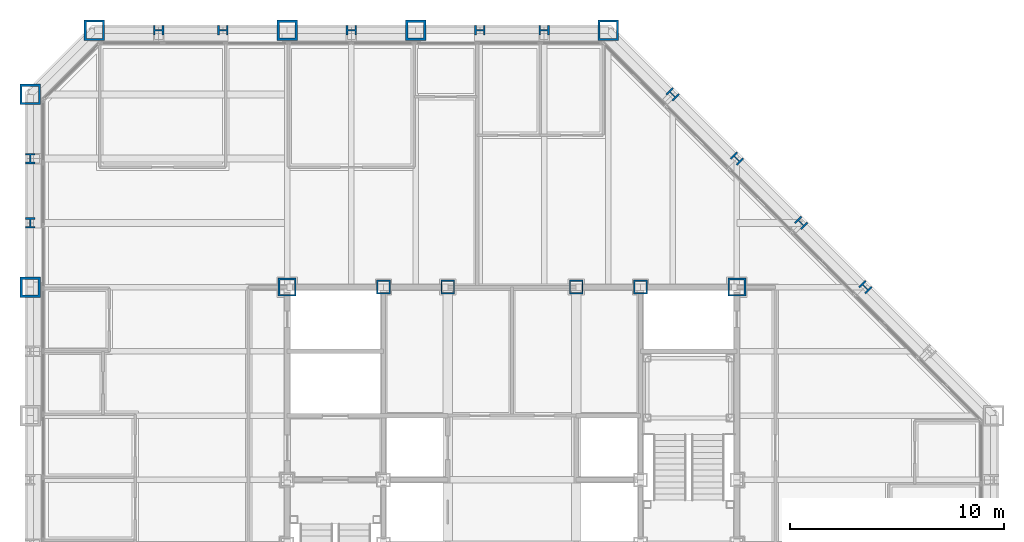
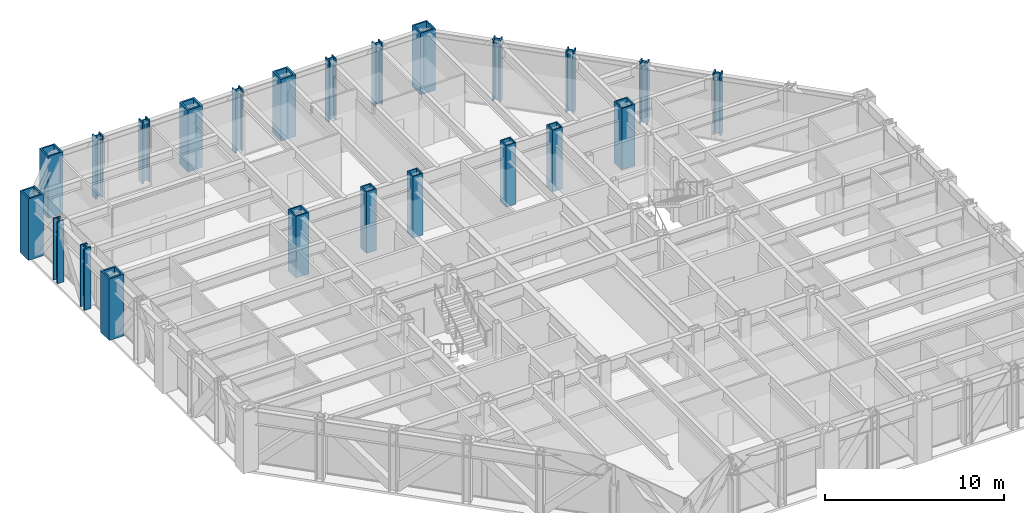
# One storey, part 3 of 16: 23 columns.
"""IFC4 building model written with IfcOpenShell, lengths in metres."""

from ifc_helpers import new_model, si_unit, direction, frame, origin, origin_2d, place, context, subcontext, project, spatial, hollow_rectangle, i_section, extrude, material, material_profile, profile_set, type_object, element, save


model = new_model("IFC4")

# Units and contexts
model_context = context("Model", 3, precision=1e-05, world=origin(), true_north=direction((0.0, 1.0)))
body_context = subcontext(model_context, "Body", "Model", "MODEL_VIEW")
ifc_project = project(units=[si_unit("LENGTHUNIT", "METRE"), si_unit("AREAUNIT", "SQUARE_METRE"), si_unit("VOLUMEUNIT", "CUBIC_METRE"), si_unit("PLANEANGLEUNIT", "RADIAN"), si_unit("MASSUNIT", "GRAM", prefix="KILO")], contexts=[model_context])

# Site, building, storey
site_placement = place(None, origin())
site = spatial("IfcSite", under=ifc_project, at=site_placement, CompositionType="ELEMENT")
building_placement = place(site_placement, origin())
building = spatial("IfcBuilding", under=site, at=building_placement, Name="Chuquiago Exchange Tower", CompositionType="ELEMENT")
storey_placement = place(building_placement, frame((0.0, 0.0, 157.199951171875)))
storey = spatial("IfcBuildingStorey", under=building, at=storey_placement, Name="L34", CompositionType="ELEMENT", Elevation=157.199951171875)

# Columns
ifc_material_1 = material(Name="Steel ASTM A992", Category="steel")
ifc_material_profile_1 = material_profile(ifc_material_1, i_section(OverallWidth=0.431884765625, OverallDepth=0.497802734375, WebThickness=0.0556640625, FlangeThickness=0.0888671875, at=origin_2d()), Name="W14X500")
ifc_profile_set_1 = profile_set([ifc_material_profile_1], Name="Steel ASTM A992")
column_type_1 = type_object("IfcColumnType", Name="C7 W14X500", PredefinedType="COLUMN", material=ifc_profile_set_1)
for number, where, z_axis, x_axis, name in (
    (1, (24.0, 45.0, 0.0), (0.0, 0.0, 1.0), (0.0, 1.0, 0.0), "COL-L34-24_45"),
    (2, (21.0, 45.0, 0.0), (0.0, 0.0, 1.0), (0.0, 1.0, 0.0), "COL-L34-21_45"),
    (3, (15.0, 45.0, 0.0), (0.0, 0.0, 1.0), (0.0, 1.0, 0.0), "COL-L34-15_45"),
    (4, (9.0, 45.0, 0.0), (0.0, 0.0, 1.0), (0.0, 1.0, 0.0), "COL-L34-9_45"),
    (5, (6.0, 45.0, 0.0), (0.0, 0.0, 1.0), (0.0, 1.0, 0.0), "COL-L34-6_45"),
    (6, (0.0, 39.0, 0.0), (0.0, 0.0, 1.0), (-1.0, 0.0, 0.0), "COL-L34-0_39"),
    (7, (0.0, 36.0, 0.0), (0.0, 0.0, 1.0), (-1.0, 0.0, 0.0), "COL-L34-0_36"),
):
    element("IfcColumn", number, at=place(storey_placement, frame(where, z_axis=z_axis, x_axis=x_axis)), inside=storey, type_object=column_type_1, Name=name, PredefinedType="COLUMN", context=body_context, shape_type="SweptSolid", body=[
        extrude(i_section(OverallWidth=0.431884765625, OverallDepth=0.497802734375, WebThickness=0.0556640625, FlangeThickness=0.0888671875, at=origin_2d()), origin(), (0.0, 0.0, 1.0), 4.199951171875),
    ])
ifc_material_2 = material(Name="Steel ASTM A572 Grade 50", Category="steel")
ifc_material_profile_2 = material_profile(ifc_material_2, hollow_rectangle(XDim=0.85009765625, YDim=0.85009765625, WallThickness=0.0849609375, at=origin_2d()), Name="BOX850X850X85")
ifc_profile_set_2 = profile_set([ifc_material_profile_2], Name="Steel ASTM A572 Grade 50")
column_type_2 = type_object("IfcColumnType", Name="CC6 BOX850X850X85", PredefinedType="COLUMN", material=ifc_profile_set_2)
for number, where, z_axis, x_axis, name in (
    (8, (12.0, 33.0, 0.0), (0.0, 0.0, 1.0), (1.0, 0.0, 0.0), "CCOL-L34-12_33"),
    (9, (33.0, 33.0, 0.0), (0.0, 0.0, 1.0), (1.0, 0.0, 0.0), "CCOL-L34-33_33"),
):
    element("IfcColumn", number, at=place(storey_placement, frame(where, z_axis=z_axis, x_axis=x_axis)), inside=storey, type_object=column_type_2, Name=name, PredefinedType="COLUMN", context=body_context, shape_type="SweptSolid", body=[
        extrude(hollow_rectangle(XDim=0.85009765625, YDim=0.85009765625, WallThickness=0.0849609375, at=origin_2d()), origin(), (0.0, 0.0, 1.0), 4.199951171875),
    ])
ifc_material_3 = material(Name="Steel ASTM A572 Grade 50", Category="steel")
ifc_material_profile_3 = material_profile(ifc_material_3, hollow_rectangle(XDim=0.64990234375, YDim=0.64990234375, WallThickness=0.06494140625, at=origin_2d()), Name="BOX650X650X65")
ifc_profile_set_3 = profile_set([ifc_material_profile_3], Name="Steel ASTM A572 Grade 50")
column_type_3 = type_object("IfcColumnType", Name="CC7 BOX650X650X65", PredefinedType="COLUMN", material=ifc_profile_set_3)
for number, where, z_axis, x_axis, name in (
    (10, (16.5, 33.0, 0.0), (0.0, 0.0, 1.0), (1.0, 0.0, 0.0), "CCOL-L34-16.5_33"),
    (11, (19.5, 33.0, 0.0), (0.0, 0.0, 1.0), (1.0, 0.0, 0.0), "CCOL-L34-19.5_33"),
    (12, (25.5, 33.0, 0.0), (0.0, 0.0, 1.0), (1.0, 0.0, 0.0), "CCOL-L34-25.5_33"),
    (13, (28.5, 33.0, 0.0), (0.0, 0.0, 1.0), (1.0, 0.0, 0.0), "CCOL-L34-28.5_33"),
):
    element("IfcColumn", number, at=place(storey_placement, frame(where, z_axis=z_axis, x_axis=x_axis)), inside=storey, type_object=column_type_3, Name=name, PredefinedType="COLUMN", context=body_context, shape_type="SweptSolid", body=[
        extrude(hollow_rectangle(XDim=0.64990234375, YDim=0.64990234375, WallThickness=0.06494140625, at=origin_2d()), origin(), (0.0, 0.0, 1.0), 4.199951171875),
    ])
ifc_material_4 = material(Name="Steel ASTM A992", Category="steel")
ifc_material_profile_4 = material_profile(ifc_material_4, i_section(OverallWidth=0.4267578125, OverallDepth=0.482666015625, WebThickness=0.05126953125, FlangeThickness=0.08154296875, at=origin_2d()), Name="W14X455")
ifc_profile_set_4 = profile_set([ifc_material_profile_4], Name="Steel ASTM A992")
column_type_4 = type_object("IfcColumnType", Name="CK6 W14X455", PredefinedType="COLUMN", material=ifc_profile_set_4)
for number, where, z_axis, x_axis, name in (
    (14, (39.0, 33.0, 0.0), (0.0, 0.0, 1.0), (0.707106781187, 0.707106781187, 0.0), "COL-L34-39_33"),
    (15, (36.0, 36.0, 0.0), (0.0, 0.0, 1.0), (0.707106781187, 0.707106781187, 0.0), "COL-L34-36_36"),
    (16, (33.0, 39.0, 0.0), (0.0, 0.0, 1.0), (0.707106781187, 0.707106781187, 0.0), "COL-L34-33_39"),
    (17, (30.0, 42.0, 0.0), (0.0, 0.0, 1.0), (0.707106781187, 0.707106781187, 0.0), "COL-L34-30_42"),
):
    element("IfcColumn", number, at=place(storey_placement, frame(where, z_axis=z_axis, x_axis=x_axis)), inside=storey, type_object=column_type_4, Name=name, PredefinedType="COLUMN", context=body_context, shape_type="SweptSolid", body=[
        extrude(i_section(OverallWidth=0.4267578125, OverallDepth=0.482666015625, WebThickness=0.05126953125, FlangeThickness=0.08154296875, at=origin_2d()), origin(), (0.0, 0.0, 1.0), 4.199951171875),
    ])
ifc_material_5 = material(Name="Steel ASTM A572 Grade 50", Category="steel")
ifc_material_profile_5 = material_profile(ifc_material_5, hollow_rectangle(XDim=0.949951171875, YDim=0.949951171875, WallThickness=0.094970703125, at=origin_2d()), Name="BOX950X950X95")
ifc_profile_set_5 = profile_set([ifc_material_profile_5], Name="Steel ASTM A572 Grade 50")
column_type_5 = type_object("IfcColumnType", Name="CN1 BOX950X950X95", PredefinedType="COLUMN", material=ifc_profile_set_5)
for number, where, z_axis, x_axis, name in (
    (18, (27.0, 45.0, 0.0), (0.0, 0.0, 1.0), (0.0, 1.0, 0.0), "COL-L34-27_45"),
    (19, (3.0, 45.0, 0.0), (0.0, 0.0, 1.0), (0.0, 1.0, 0.0), "COL-L34-3_45"),
    (20, (0.0, 42.0, 0.0), (0.0, 0.0, 1.0), (-1.0, 0.0, 0.0), "COL-L34-0_42"),
):
    element("IfcColumn", number, at=place(storey_placement, frame(where, z_axis=z_axis, x_axis=x_axis)), inside=storey, type_object=column_type_5, Name=name, PredefinedType="COLUMN", context=body_context, shape_type="SweptSolid", body=[
        extrude(hollow_rectangle(XDim=0.949951171875, YDim=0.949951171875, WallThickness=0.094970703125, at=origin_2d()), origin(), (0.0, 0.0, 1.0), 4.199951171875),
    ])
ifc_material_6 = material(Name="Steel ASTM A572 Grade 42", Category="steel")
ifc_material_profile_6 = material_profile(ifc_material_6, hollow_rectangle(XDim=0.949951171875, YDim=0.949951171875, WallThickness=0.110107421875, at=origin_2d()), Name="BOX950X950X110")
ifc_profile_set_6 = profile_set([ifc_material_profile_6], Name="Steel ASTM A572 Grade 42")
column_type_6 = type_object("IfcColumnType", Name="CT1 BOX950X950X110", PredefinedType="COLUMN", material=ifc_profile_set_6)
for number, where, z_axis, x_axis, name in (
    (21, (18.0, 45.0, 0.0), (0.0, 0.0, 1.0), (0.0, 1.0, 0.0), "COL-L34-18_45"),
    (22, (12.0, 45.0, 0.0), (0.0, 0.0, 1.0), (0.0, 1.0, 0.0), "COL-L34-12_45"),
    (23, (0.0, 33.0, 0.0), (0.0, 0.0, 1.0), (-1.0, 0.0, 0.0), "COL-L34-0_33"),
):
    element("IfcColumn", number, at=place(storey_placement, frame(where, z_axis=z_axis, x_axis=x_axis)), inside=storey, type_object=column_type_6, Name=name, PredefinedType="COLUMN", context=body_context, shape_type="SweptSolid", body=[
        extrude(hollow_rectangle(XDim=0.949951171875, YDim=0.949951171875, WallThickness=0.110107421875, at=origin_2d()), origin(), (0.0, 0.0, 1.0), 4.199951171875),
    ])

save(model, "model.ifc")
